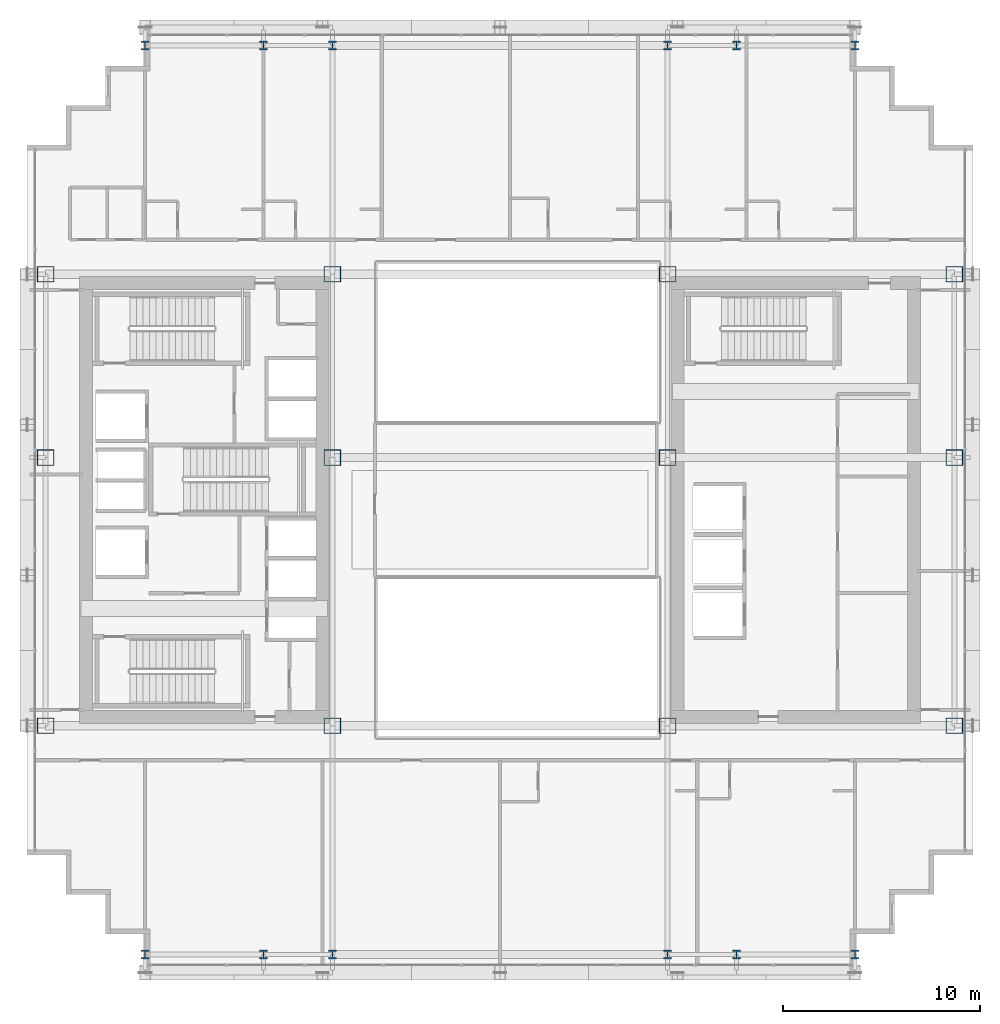
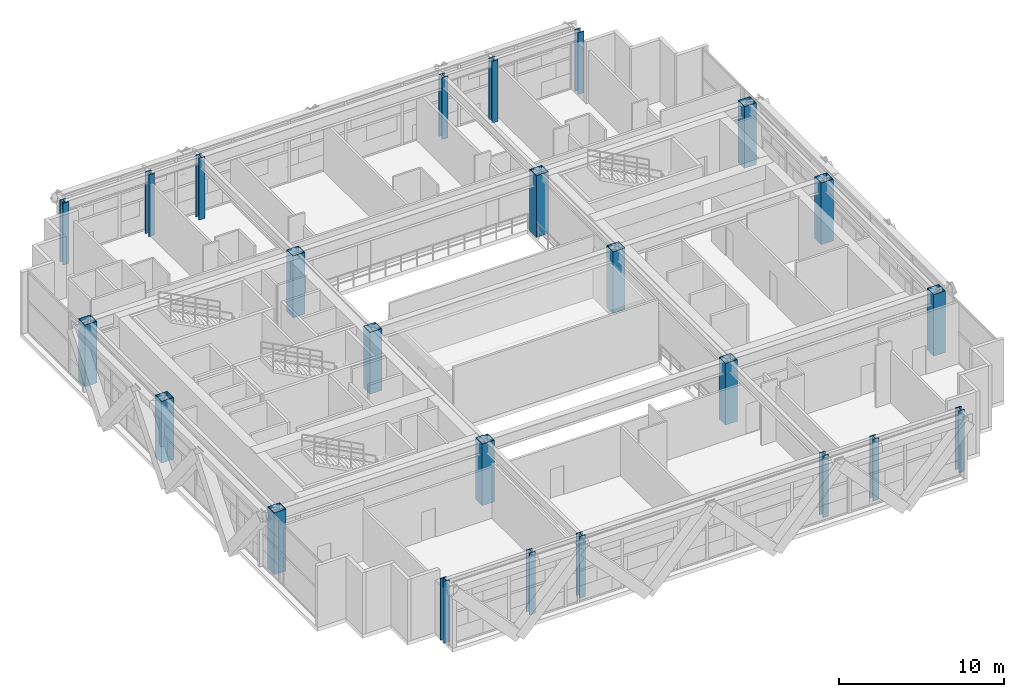
# One storey, part 1 of 38: 24 columns.
"""IFC4 building model written with IfcOpenShell, lengths in metres."""

import ifcopenshell
import ifcopenshell.guid

model = None  # the IFC model being written
_history = None  # IfcOwnerHistory: only IFC2X3 demands one
_inside = {}  # id of a spatial element -> (the spatial element, [elements in it])
_under = {}  # id of a project, library or spatial element -> (it, [spatial elements below it])
_declared = {}  # id of a project -> (the project, [libraries it declares])
_typed = {}  # id of a type object -> (the type object, [elements of that type])
_made_of = {}  # id of a material, layer set ... -> (it, [elements and type objects made of it])


def new_model(schema):
    """Start an empty IFC model of exactly this schema.

    Asked for "IFC4X3", IfcOpenShell would pick the latest addendum, in which some entities
    have other attributes; the version numbers below select the first issue.
    IFC2X3 requires an IfcOwnerHistory on every rooted entity: one is made here for all.
    """
    global model, _history
    if schema == "IFC4X3":
        model = ifcopenshell.file(schema_version=(4, 3, 0, 0))
    else:
        model = ifcopenshell.file(schema=schema)
    _inside.clear()
    _under.clear()
    _declared.clear()
    _typed.clear()
    _made_of.clear()
    _history = None
    if model.schema == "IFC2X3":
        org = make("IfcOrganization", Name="unknown")
        user = make(
            "IfcPersonAndOrganization",
            ThePerson=make("IfcPerson", FamilyName="unknown"),
            TheOrganization=org,
        )
        app = make(
            "IfcApplication",
            ApplicationDeveloper=org,
            Version="unknown",
            ApplicationFullName="unknown",
            ApplicationIdentifier="unknown",
        )
        _history = make(
            "IfcOwnerHistory",
            OwningUser=user,
            OwningApplication=app,
            ChangeAction="ADDED",
            CreationDate=0,
        )
    return model


def make(cls, **values):
    """One entity of the class cls with the attributes given. An attribute that is None is left unset."""
    return model.create_entity(
        cls, **{name: value for name, value in values.items() if value is not None}
    )


def rooted(cls, **values):
    """An entity with a GlobalId (a new one), such as an element, a storey or a relation."""
    return make(cls, GlobalId=ifcopenshell.guid.new(), OwnerHistory=_history, **values)


def si_unit(unit_type, name, prefix=None):
    """IfcSIUnit, for example si_unit("LENGTHUNIT", "METRE", prefix="MILLI")."""
    return make("IfcSIUnit", UnitType=unit_type, Prefix=prefix, Name=name)


def assignment(units):
    """IfcUnitAssignment: the units of a project."""
    return None if units is None else make("IfcUnitAssignment", Units=units)


def point(xyz):
    """IfcCartesianPoint."""
    return None if xyz is None else make("IfcCartesianPoint", Coordinates=xyz)


def direction(xyz):
    """IfcDirection."""
    return None if xyz is None else make("IfcDirection", DirectionRatios=xyz)


def frame(location, z_axis=None, x_axis=None):
    """IfcAxis2Placement3D, a coordinate frame: its origin and axes. An axis left out is left unset."""
    return make(
        "IfcAxis2Placement3D",
        Location=point(location),
        Axis=direction(z_axis),
        RefDirection=direction(x_axis),
    )


def frame_2d(location, x_axis=None):
    """IfcAxis2Placement2D, a coordinate frame in the plane: its origin and x axis."""
    return make(
        "IfcAxis2Placement2D", Location=point(location), RefDirection=direction(x_axis)
    )


def origin():
    """The frame at (0, 0, 0) with its axes left unset."""
    return frame((0.0, 0.0, 0.0))


def origin_2d():
    """The frame at (0, 0) in the plane with its x axis left unset."""
    return frame_2d((0.0, 0.0))


def place(relative_to, where):
    """IfcLocalPlacement: puts the frame where relative to a parent placement (None: the world)."""
    return make(
        "IfcLocalPlacement", PlacementRelTo=relative_to, RelativePlacement=where
    )


def context(
    kind, dimensions, precision=None, world=None, true_north=None, identifier=None
):
    """IfcGeometricRepresentationContext, for example the 3D "Model" context."""
    return make(
        "IfcGeometricRepresentationContext",
        ContextIdentifier=identifier,
        ContextType=kind,
        CoordinateSpaceDimension=dimensions,
        Precision=precision,
        WorldCoordinateSystem=world,
        TrueNorth=true_north,
    )


def subcontext(parent, identifier, kind, view, scale=None):
    """IfcGeometricRepresentationSubContext, for example "Body" below "Model"."""
    return make(
        "IfcGeometricRepresentationSubContext",
        ContextIdentifier=identifier,
        ContextType=kind,
        ParentContext=parent,
        TargetScale=scale,
        TargetView=view,
    )


def project(units=None, contexts=None):
    """IfcProject with its units and contexts."""
    return rooted(
        "IfcProject",
        Name="project",
        RepresentationContexts=contexts,
        UnitsInContext=assignment(units),
    )


def spatial(cls, under=None, at=None, **own):
    """A site, building, storey or space (cls), placed at a placement, below another one or the project."""
    s = rooted(cls, ObjectPlacement=at, **own)
    if under is not None:
        _under.setdefault(under.id(), (under, []))[1].append(s)
    return s


def profile(cls, at=None, kind="AREA", **sizes):
    """A parametric profile (cls). Its sizes go by their IFC names, for example OverallWidth=200.0."""
    return make(cls, ProfileType=kind, Position=at, **sizes)


def hollow_rectangle(**sizes):
    """IfcRectangleHollowProfileDef."""
    return profile("IfcRectangleHollowProfileDef", **sizes)


def i_section(**sizes):
    """IfcIShapeProfileDef."""
    return profile("IfcIShapeProfileDef", **sizes)


def extrude(swept, where, along, depth):
    """IfcExtrudedAreaSolid: the profile swept, set in the frame where, extruded along a direction by depth."""
    return make(
        "IfcExtrudedAreaSolid",
        SweptArea=swept,
        Position=where,
        ExtrudedDirection=direction(along),
        Depth=depth,
    )


def shape(context_of_items, identifier, shape_type, items):
    """IfcShapeRepresentation: the items that make up one representation, for example the "Body"."""
    return make(
        "IfcShapeRepresentation",
        ContextOfItems=context_of_items,
        RepresentationIdentifier=identifier,
        RepresentationType=shape_type,
        Items=items,
    )


def source(mapping_origin, context_of_items, identifier, shape_type, items):
    """IfcRepresentationMap: a shape defined once, which mapped items show again and again."""
    return make(
        "IfcRepresentationMap",
        MappingOrigin=mapping_origin,
        MappedRepresentation=shape(context_of_items, identifier, shape_type, items),
    )


def transform(
    local_origin,
    x_axis=None,
    y_axis=None,
    z_axis=None,
    scale=None,
    scale2=None,
    scale3=None,
    uniform=True,
):
    """IfcCartesianTransformationOperator3D, or its non-uniform kind. x_axis, y_axis, z_axis: its Axis1, 2, 3."""
    if uniform:
        return make(
            "IfcCartesianTransformationOperator3D",
            Axis1=direction(x_axis),
            Axis2=direction(y_axis),
            LocalOrigin=point(local_origin),
            Scale=scale,
            Axis3=direction(z_axis),
        )
    return make(
        "IfcCartesianTransformationOperator3DnonUniform",
        Axis1=direction(x_axis),
        Axis2=direction(y_axis),
        LocalOrigin=point(local_origin),
        Scale=scale,
        Axis3=direction(z_axis),
        Scale2=scale2,
        Scale3=scale3,
    )


def mapped(mapping_source, mapping_target):
    """IfcMappedItem: shows the shape of a source again, moved by a transform."""
    return make(
        "IfcMappedItem", MappingSource=mapping_source, MappingTarget=mapping_target
    )


def material(Name=None, Category=None):
    """IfcMaterial."""
    return make("IfcMaterial", Name=Name, Category=Category)


def material_profile(
    of_material, cross_section, Name=None, Category=None, Priority=None
):
    """IfcMaterialProfile: a cross section and its material."""
    return make(
        "IfcMaterialProfile",
        Name=Name,
        Material=of_material,
        Profile=cross_section,
        Priority=Priority,
        Category=Category,
    )


def profile_set(profiles, Name=None, composite=None):
    """IfcMaterialProfileSet."""
    return make(
        "IfcMaterialProfileSet",
        Name=Name,
        MaterialProfiles=profiles,
        CompositeProfile=composite,
    )


def made_of(thing, what):
    """Note that an element or type object is made of a material, layer set ...; save() writes the relation."""
    if what is not None:
        _made_of.setdefault(what.id(), (what, []))[1].append(thing)
    return thing


def type_object(cls, material=None, **own):
    """A type object (cls), such as IfcWallType, which elements share."""
    return made_of(rooted(cls, **own), material)


def element(
    cls,
    number,
    at=None,
    inside=None,
    cuts=None,
    type_object=None,
    material=None,
    context=None,
    identifier="Body",
    shape_type=None,
    held_by="IfcProductDefinitionShape",
    body=None,
    shapes=None,
    **own,
):
    """One element of the class cls, such as IfcWall. Its Tag is "e" and its number.

    at: its placement. inside: the storey or other place that contains it. cuts: it is an
    opening in that element (IfcRelVoidsElement). A single representation is given by context,
    identifier, shape_type and body (its items); several are given by shapes. held_by: the class
    of the entity that holds the representations. save() writes the other relations.
    """
    e = rooted(cls, Tag="e%d" % number, ObjectPlacement=at, **own)
    if body is not None:
        shapes = [shape(context, identifier, shape_type, body)]
    if shapes is not None:
        e.Representation = make(held_by, Representations=shapes)
    if inside is not None:
        _inside.setdefault(inside.id(), (inside, []))[1].append(e)
    if cuts is not None:
        rooted(
            "IfcRelVoidsElement", RelatingBuildingElement=cuts, RelatedOpeningElement=e
        )
    if type_object is not None:
        _typed.setdefault(type_object.id(), (type_object, []))[1].append(e)
    return made_of(e, material)


def aggregate(whole, parts):
    """IfcRelAggregates: a whole, such as a stair, and the parts it consists of."""
    return rooted("IfcRelAggregates", RelatingObject=whole, RelatedObjects=parts)


def save(model, path):
    """Write the relations noted so far, then the file.

    IfcRelAggregates (storeys below a building ...), IfcRelContainedInSpatialStructure (elements
    in a storey), IfcRelDefinesByType, IfcRelAssociatesMaterial and IfcRelDeclares: one each for
    every whole, place, type object, material and project.
    """
    for whole, parts in _under.values():
        aggregate(whole, parts)
    for where, things in _inside.values():
        rooted(
            "IfcRelContainedInSpatialStructure",
            RelatedElements=things,
            RelatingStructure=where,
        )
    for kind, things in _typed.values():
        rooted("IfcRelDefinesByType", RelatedObjects=things, RelatingType=kind)
    for what, things in _made_of.values():
        rooted("IfcRelAssociatesMaterial", RelatedObjects=things, RelatingMaterial=what)
    for by, libraries in _declared.values():
        rooted("IfcRelDeclares", RelatingContext=by, RelatedDefinitions=libraries)
    model.write(path)


model = new_model("IFC4")

# Units and contexts
model_context = context("Model", 3, precision=1e-05, world=origin(), true_north=direction((0.0, 1.0)))
body_context = subcontext(model_context, "Body", "Model", "MODEL_VIEW")
ifc_project = project(units=[si_unit("LENGTHUNIT", "METRE"), si_unit("AREAUNIT", "SQUARE_METRE"), si_unit("VOLUMEUNIT", "CUBIC_METRE"), si_unit("PLANEANGLEUNIT", "RADIAN"), si_unit("MASSUNIT", "GRAM", prefix="KILO")], contexts=[model_context])

# Site, building, storey
site_placement = place(None, origin())
site = spatial("IfcSite", under=ifc_project, at=site_placement, CompositionType="ELEMENT")
building_placement = place(site_placement, origin())
building = spatial("IfcBuilding", under=site, at=building_placement, Name="Ocotamira Hotel", CompositionType="ELEMENT")
storey_placement = place(building_placement, frame((0.0, 0.0, 92.39990234375)))
storey = spatial("IfcBuildingStorey", under=building, at=storey_placement, Name="L22", CompositionType="ELEMENT", Elevation=92.39990234375)

# Columns
ifc_material = material(Name="Steel ASTM A913 Grade 65", Category="steel")
ifc_material_profile_1 = material_profile(ifc_material, hollow_rectangle(XDim=0.85009765625, YDim=0.800048828125, WallThickness=0.031982421875, at=origin_2d()), Name="BOX800X850X32")
ifc_profile_set_1 = profile_set([ifc_material_profile_1], Name="Steel ASTM A913 Grade 65")
column_type_1 = type_object("IfcColumnType", Name="COL-BOX800", PredefinedType="COLUMN", material=ifc_profile_set_1)
shared_shape_1 = source(origin(), body_context, "Body", "SweptSolid", [
    extrude(hollow_rectangle(XDim=0.85009765625, YDim=0.800048828125, WallThickness=0.031982421875, at=origin_2d()), origin(), (0.0, 0.0, 1.0), 4.56005859375),
])
for number, where, z_axis, x_axis, name in (
    (1, (8.949951171875, 14.550048828125, 0.0), (0.0, 0.0, 1.0), (1.0, 0.0, 0.0), "L22 Column TW8_14"),
    (2, (23.5, 14.550048828125, 0.0), (0.0, 0.0, 1.0), (1.0, 0.0, 0.0), "L22 Column TW23_14"),
    (3, (40.5, 14.550048828125, 0.0), (0.0, 0.0, 1.0), (1.0, 0.0, 0.0), "L22 Column TE40_14"),
    (4, (55.050048828125, 14.550048828125, 0.0), (0.0, 0.0, 1.0), (1.0, 0.0, 0.0), "L22 Column TE55_14"),
    (5, (8.949951171875, 28.14990234375, 0.0), (0.0, 0.0, 1.0), (1.0, 0.0, 0.0), "L22 Column TW8_28"),
    (6, (23.5, 28.14990234375, 0.0), (0.0, 0.0, 1.0), (1.0, 0.0, 0.0), "L22 Column TW23_28"),
    (7, (40.5, 28.14990234375, 0.0), (0.0, 0.0, 1.0), (1.0, 0.0, 0.0), "L22 Column TE40_28"),
    (8, (55.050048828125, 28.14990234375, 0.0), (0.0, 0.0, 1.0), (1.0, 0.0, 0.0), "L22 Column TE55_28"),
    (9, (8.949951171875, 37.449951171875, 0.0), (0.0, 0.0, 1.0), (1.0, 0.0, 0.0), "L22 Column TW8_37"),
    (10, (23.5, 37.449951171875, 0.0), (0.0, 0.0, 1.0), (1.0, 0.0, 0.0), "L22 Column TW23_37"),
    (11, (40.5, 37.449951171875, 0.0), (0.0, 0.0, 1.0), (1.0, 0.0, 0.0), "L22 Column TE40_37"),
    (12, (55.050048828125, 37.449951171875, 0.0), (0.0, 0.0, 1.0), (1.0, 0.0, 0.0), "L22 Column TE55_37"),
):
    element("IfcColumn", number, at=place(storey_placement, frame(where, z_axis=z_axis, x_axis=x_axis)), inside=storey, type_object=column_type_1, Name=name, PredefinedType="COLUMN", context=body_context, shape_type="MappedRepresentation", body=[
        mapped(shared_shape_1, transform((0.0, 0.0, 0.0), scale=1.0)),
    ])
ifc_material_profile_2 = material_profile(ifc_material, i_section(OverallWidth=0.412109375, OverallDepth=0.43505859375, WebThickness=0.035888671875, FlangeThickness=0.057373046875, FilletRadius=0.02490234375, at=origin_2d()), Name="W14X311")
ifc_profile_set_2 = profile_set([ifc_material_profile_2], Name="Steel ASTM A913 Grade 65")
column_type_2 = type_object("IfcColumnType", Name="COL-W14X311", PredefinedType="COLUMN", material=ifc_profile_set_2)
shared_shape_2 = source(origin(), body_context, "Body", "SweptSolid", [
    extrude(i_section(OverallWidth=0.412109375, OverallDepth=0.43505859375, WebThickness=0.035888671875, FlangeThickness=0.057373046875, FilletRadius=0.02490234375, at=origin_2d()), origin(), (0.0, 0.0, 1.0), 4.56005859375),
])
for number, where, z_axis, x_axis, name in (
    (13, (14.0, 2.949951171875, 0.0), (0.0, 0.0, 1.0), (1.0, 0.0, 0.0), "L22 Column NSP1_14"),
    (14, (20.0, 2.949951171875, 0.0), (0.0, 0.0, 1.0), (1.0, 0.0, 0.0), "L22 Column NSP1_20"),
    (15, (23.5, 2.949951171875, 0.0), (0.0, 0.0, 1.0), (1.0, 0.0, 0.0), "L22 Column NSP1_23"),
    (16, (40.5, 2.949951171875, 0.0), (0.0, 0.0, 1.0), (1.0, 0.0, 0.0), "L22 Column NSP1_40"),
    (17, (44.0, 2.949951171875, 0.0), (0.0, 0.0, 1.0), (1.0, 0.0, 0.0), "L22 Column NSP1_44"),
    (18, (50.0, 2.949951171875, 0.0), (0.0, 0.0, 1.0), (1.0, 0.0, 0.0), "L22 Column NSP1_50"),
    (19, (14.0, 49.050048828125, 0.0), (0.0, 0.0, 1.0), (1.0, 0.0, 0.0), "L22 Column NSP2_14"),
    (20, (20.0, 49.050048828125, 0.0), (0.0, 0.0, 1.0), (1.0, 0.0, 0.0), "L22 Column NSP2_20"),
    (21, (23.5, 49.050048828125, 0.0), (0.0, 0.0, 1.0), (1.0, 0.0, 0.0), "L22 Column NSP2_23"),
    (22, (40.5, 49.050048828125, 0.0), (0.0, 0.0, 1.0), (1.0, 0.0, 0.0), "L22 Column NSP2_40"),
    (23, (44.0, 49.050048828125, 0.0), (0.0, 0.0, 1.0), (1.0, 0.0, 0.0), "L22 Column NSP2_44"),
    (24, (50.0, 49.050048828125, 0.0), (0.0, 0.0, 1.0), (1.0, 0.0, 0.0), "L22 Column NSP2_50"),
):
    element("IfcColumn", number, at=place(storey_placement, frame(where, z_axis=z_axis, x_axis=x_axis)), inside=storey, type_object=column_type_2, Name=name, PredefinedType="COLUMN", context=body_context, shape_type="MappedRepresentation", body=[
        mapped(shared_shape_2, transform((0.0, 0.0, 0.0), scale=1.0)),
    ])

save(model, "model.ifc")
